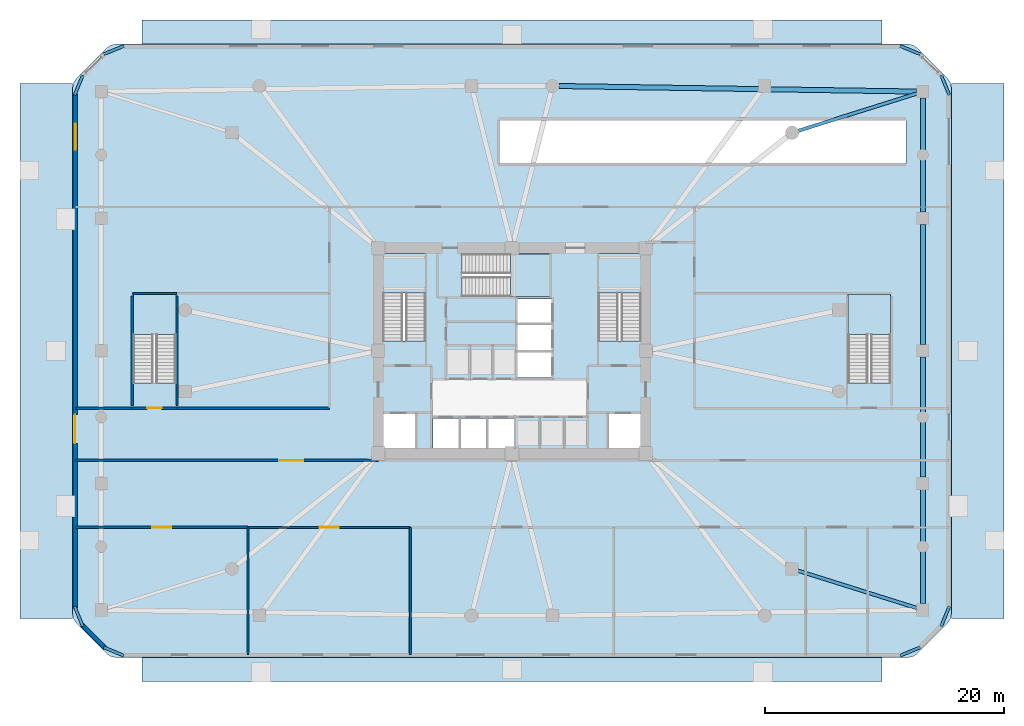
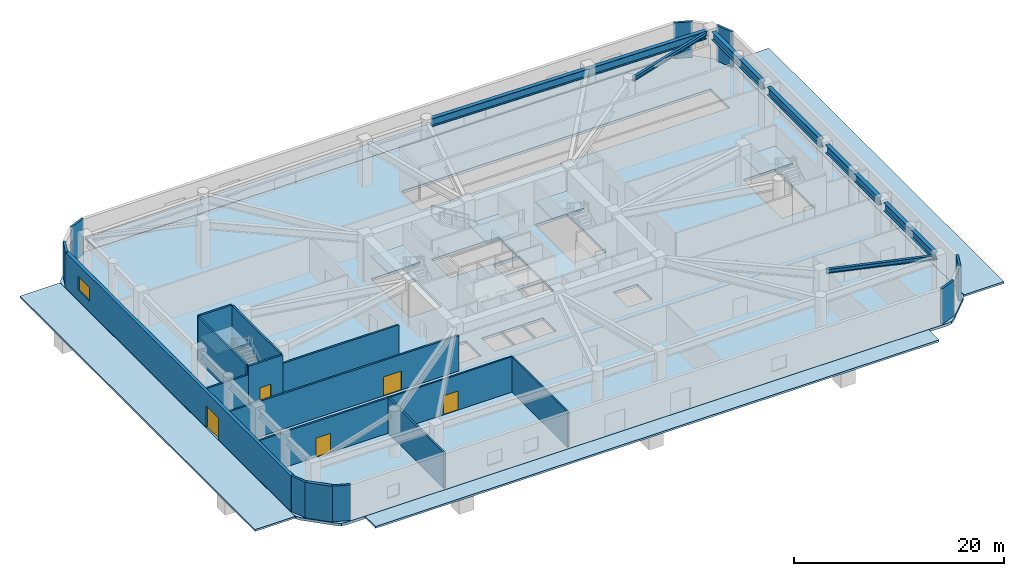
# One storey, part 2 of 9: 13 walls, 10 slabs, 8 plates, 7 beams, 5 doors, 1 window, 6 openings, 5 elements without a shape of their own.
"""IFC4 building model written with IfcOpenShell, lengths in metres."""

from ifc_helpers import new_model, si_unit, derived_unit, direction, frame, frame_2d, origin, origin_2d, place, context, subcontext, project, spatial, polyline, rectangle, i_section, outline, extrude, material, layer, layer_set, material_profile, profile_set, type_object, element, fill, aggregate, save


model = new_model("IFC4")

# Units and contexts
model_context = context("Model", 3, precision=1e-05, world=origin(), true_north=direction((0.0, 1.0)))
body_context = subcontext(model_context, "Body", "Model", "MODEL_VIEW")
ifc_project = project(units=[si_unit("LENGTHUNIT", "METRE"), si_unit("AREAUNIT", "SQUARE_METRE"), si_unit("VOLUMEUNIT", "CUBIC_METRE"), si_unit("PLANEANGLEUNIT", "RADIAN"), si_unit("MASSUNIT", "GRAM", prefix="KILO"), derived_unit("THERMALTRANSMITTANCEUNIT", [(si_unit("POWERUNIT", "WATT"), 1), (si_unit("LENGTHUNIT", "METRE"), -2), (si_unit("THERMODYNAMICTEMPERATUREUNIT", "KELVIN"), -1)])], contexts=[model_context])

# Site, building, storey
site_placement = place(None, origin())
site = spatial("IfcSite", under=ifc_project, at=site_placement, CompositionType="ELEMENT")
building_placement = place(site_placement, origin())
building = spatial("IfcBuilding", under=site, at=building_placement, Name="Koralith Skygarden Medical Center", CompositionType="ELEMENT")
storey_placement = place(building_placement, origin())
storey = spatial("IfcBuildingStorey", under=building, at=storey_placement, Name="L00", CompositionType="ELEMENT", Elevation=0.0)

# Beams
ifc_material_1 = material(Name="Steel ASTM A992 Grade 50", Category="steel")
ifc_material_profile_1 = material_profile(ifc_material_1, i_section(OverallWidth=0.423095703125, OverallDepth=0.947998046875, WebThickness=0.02392578125, FlangeThickness=0.042724609375, at=origin_2d()), Name="W36X302")
ifc_profile_set_1 = profile_set([ifc_material_profile_1], Name="Steel ASTM A992 Grade 50")
beam_type_1 = type_object("IfcBeamType", Name="Podium Concourse Girder W36X302", PredefinedType="BEAM", material=ifc_profile_set_1)
beam_1_placement = place(storey_placement, frame((71.39990234375, 4.719970703125, 4.6259765625), z_axis=(0.0, 1.0, 0.0), x_axis=(-1.0, 0.0, 0.0)))
element("IfcBeam", 1, at=beam_1_placement, inside=storey, type_object=beam_type_1, Name="L00 Podium Perimeter Beam PB-05", PredefinedType="BEAM", context=body_context, shape_type="SweptSolid", body=[
    extrude(i_section(OverallWidth=0.423095703125, OverallDepth=0.947998046875, WebThickness=0.02392578125, FlangeThickness=0.042724609375, at=origin_2d()), origin(), (0.0, 0.0, 1.0), 9.56005859375),
])
beam_2_placement = place(storey_placement, frame((71.39990234375, 15.320068359375, 4.6259765625), z_axis=(0.0, 1.0, 0.0), x_axis=(-1.0, 0.0, 0.0)))
element("IfcBeam", 2, at=beam_2_placement, inside=storey, type_object=beam_type_1, Name="L00 Podium Perimeter Beam PB-06", PredefinedType="BEAM", context=body_context, shape_type="SweptSolid", body=[
    extrude(i_section(OverallWidth=0.423095703125, OverallDepth=0.947998046875, WebThickness=0.02392578125, FlangeThickness=0.042724609375, at=origin_2d()), origin(), (0.0, 0.0, 1.0), 10.059814453125),
])
beam_3_placement = place(storey_placement, frame((71.39990234375, 26.419921875, 4.6259765625), z_axis=(0.0, 1.0, 0.0), x_axis=(-1.0, 0.0, 0.0)))
element("IfcBeam", 3, at=beam_3_placement, inside=storey, type_object=beam_type_1, Name="L00 Podium Perimeter Beam PB-07", PredefinedType="BEAM", context=body_context, shape_type="SweptSolid", body=[
    extrude(i_section(OverallWidth=0.423095703125, OverallDepth=0.947998046875, WebThickness=0.02392578125, FlangeThickness=0.042724609375, at=origin_2d()), origin(), (0.0, 0.0, 1.0), 10.06005859375),
])
beam_4_placement = place(storey_placement, frame((71.39990234375, 37.52001953125, 4.6259765625), z_axis=(0.0, 1.0, 0.0), x_axis=(-1.0, 0.0, 0.0)))
element("IfcBeam", 4, at=beam_4_placement, inside=storey, type_object=beam_type_1, Name="L00 Podium Perimeter Beam PB-08", PredefinedType="BEAM", context=body_context, shape_type="SweptSolid", body=[
    extrude(i_section(OverallWidth=0.423095703125, OverallDepth=0.947998046875, WebThickness=0.02392578125, FlangeThickness=0.042724609375, at=origin_2d()), origin(), (0.0, 0.0, 1.0), 9.56005859375),
])
beam_5_placement = place(storey_placement, frame((70.8798828125, 47.60791015625, 4.6259765625), z_axis=(-0.999880035237, 0.015489194131, 0.0), x_axis=(-0.015489194131, -0.999880035237, 0.0)))
element("IfcBeam", 5, at=beam_5_placement, inside=storey, type_object=beam_type_1, Name="L00 Podium Perimeter Beam PB-09", PredefinedType="BEAM", context=body_context, shape_type="SweptSolid", body=[
    extrude(i_section(OverallWidth=0.423095703125, OverallDepth=0.947998046875, WebThickness=0.02392578125, FlangeThickness=0.042724609375, at=origin_2d()), origin(), (0.0, 0.0, 1.0), 29.963623046875),
])
ifc_material_profile_2 = material_profile(ifc_material_1, i_section(OverallWidth=0.281982421875, OverallDepth=0.467041015625, WebThickness=0.01220703125, FlangeThickness=0.01953125, at=origin_2d()), Name="W18X86")
ifc_profile_set_2 = profile_set([ifc_material_profile_2], Name="Steel ASTM A992 Grade 50")
beam_type_2 = type_object("IfcBeamType", Name="Podium Floor Joist W18X86", PredefinedType="JOIST", material=ifc_profile_set_2)
for number, where, z_axis, x_axis, name in (
    (6, (60.9560546875, 7.48388671875, 4.865966796875), (0.953954869198, -0.299950175084, 0.0), (0.299950175084, 0.953954869198, 0.0), "L00 Podium Floor Joist PJ-03"),
    (7, (60.9560546875, 44.31591796875, 4.865966796875), (0.95394817002, 0.29997148017, 0.0), (-0.29997148017, 0.95394817002, 0.0), "L00 Podium Floor Joist PJ-04"),
):
    element("IfcBeam", number, at=place(storey_placement, frame(where, z_axis=z_axis, x_axis=x_axis)), inside=storey, type_object=beam_type_2, Name=name, PredefinedType="JOIST", context=body_context, shape_type="SweptSolid", body=[
        extrude(i_section(OverallWidth=0.281982421875, OverallDepth=0.467041015625, WebThickness=0.01220703125, FlangeThickness=0.01953125, at=origin_2d()), origin(), (0.0, 0.0, 1.0), 10.42822265625),
    ])

# Stair, slab
ifc_material_2 = material(Name="Concrete C45/55", Category="concrete")
stair_type = type_object("IfcStairType", Name="Core Exit Dogleg Concrete Stair", PredefinedType="HALF_TURN_STAIR", material=ifc_material_2)
stair_1_placement = place(storey_placement, origin())
stair_1 = element("IfcStair", 8, at=stair_1_placement, inside=storey, type_object=stair_type, Name="L00 Smokeproof Exit Stair ST1", PredefinedType="HALF_TURN_STAIR")
ifc_layer_1 = layer(ifc_material_2, 0.199951171875)
ifc_layer_set_1 = layer_set([ifc_layer_1], Name="Concrete C45/55")
slab_type_1 = type_object("IfcSlabType", Name="Core Exit Concrete Stair Landing 200", PredefinedType="LANDING", material=ifc_layer_set_1)
slab_1_placement = place(storey_placement, frame((0.0, 0.0, 2.5)))
slab_1 = element("IfcSlab", 9, at=slab_1_placement, type_object=slab_type_1, Name="ST1 landing 1", PredefinedType="LANDING", context=body_context, shape_type="SweptSolid", body=[
    extrude(outline(polyline([(29.75, 30.760009765625), (29.75, 34.050048828125), (26.199951171875, 34.050048828125), (26.199951171875, 30.760009765625), (29.75, 30.760009765625)])), origin(), (0.0, 0.0, 1.0), 0.199951171875),
])
aggregate(stair_1, [slab_1])

stair_2_placement = place(storey_placement, origin())
stair_2 = element("IfcStair", 10, at=stair_2_placement, inside=storey, type_object=stair_type, Name="L00 Smokeproof Exit Stair ST2", PredefinedType="HALF_TURN_STAIR")
slab_2_placement = place(storey_placement, frame((0.0, 0.0, 2.5)))
slab_2 = element("IfcSlab", 11, at=slab_2_placement, type_object=slab_type_1, Name="ST2 landing 1", PredefinedType="LANDING", context=body_context, shape_type="SweptSolid", body=[
    extrude(outline(polyline([(47.800048828125, 30.760009765625), (47.800048828125, 34.050048828125), (44.25, 34.050048828125), (44.25, 30.760009765625), (47.800048828125, 30.760009765625)])), origin(), (0.0, 0.0, 1.0), 0.199951171875),
])
aggregate(stair_2, [slab_2])

stair_3_placement = place(storey_placement, origin())
stair_3 = element("IfcStair", 12, at=stair_3_placement, inside=storey, type_object=stair_type, Name="L00 Smokeproof Exit Stair ST3", PredefinedType="HALF_TURN_STAIR")
slab_3_placement = place(storey_placement, frame((0.0, 0.0, 2.5)))
slab_3 = element("IfcSlab", 13, at=slab_3_placement, type_object=slab_type_1, Name="ST3 landing 1", PredefinedType="LANDING", context=body_context, shape_type="SweptSolid", body=[
    extrude(outline(polyline([(36.860107421875, 30.449951171875), (40.199951171875, 30.449951171875), (40.199951171875, 34.0), (36.860107421875, 34.0), (36.860107421875, 30.449951171875)])), origin(), (0.0, 0.0, 1.0), 0.199951171875),
])
aggregate(stair_3, [slab_3])

stair_4_placement = place(storey_placement, origin())
stair_4 = element("IfcStair", 14, at=stair_4_placement, inside=storey, type_object=stair_type, Name="L00 Podium Smokeproof Exit Stair ST4", PredefinedType="HALF_TURN_STAIR")
slab_4_placement = place(storey_placement, frame((0.0, 0.0, 2.5)))
slab_4 = element("IfcSlab", 15, at=slab_4_placement, type_object=slab_type_1, Name="ST4 landing 1", PredefinedType="LANDING", context=body_context, shape_type="SweptSolid", body=[
    extrude(outline(polyline([(8.85009765625, 27.260009765625), (8.85009765625, 30.60009765625), (5.300048828125, 30.60009765625), (5.300048828125, 27.260009765625), (8.85009765625, 27.260009765625)])), origin(), (0.0, 0.0, 1.0), 0.199951171875),
])
aggregate(stair_4, [slab_4])

stair_5_placement = place(storey_placement, origin())
stair_5 = element("IfcStair", 16, at=stair_5_placement, inside=storey, type_object=stair_type, Name="L00 Podium Smokeproof Exit Stair ST5", PredefinedType="HALF_TURN_STAIR")
slab_5_placement = place(storey_placement, frame((0.0, 0.0, 2.5)))
slab_5 = element("IfcSlab", 17, at=slab_5_placement, type_object=slab_type_1, Name="ST5 landing 1", PredefinedType="LANDING", context=body_context, shape_type="SweptSolid", body=[
    extrude(outline(polyline([(68.699951171875, 27.260009765625), (68.699951171875, 30.60009765625), (65.14990234375, 30.60009765625), (65.14990234375, 27.260009765625), (68.699951171875, 27.260009765625)])), origin(), (0.0, 0.0, 1.0), 0.199951171875),
])
aggregate(stair_5, [slab_5])

# Slabs
ifc_material_3 = material(Name="Precast concrete C40/50", Category="concrete")
ifc_layer_2 = layer(ifc_material_3, 0.219970703125)
ifc_layer_set_2 = layer_set([ifc_layer_2], Name="Precast concrete C40/50")
slab_type_2 = type_object("IfcSlabType", Name="Forecourt Plaza & Driveway Paving 220", PredefinedType="USERDEFINED", material=ifc_layer_set_2)
slab_6_placement = place(storey_placement, frame((0.0, 0.0, -0.219970703125)))
element("IfcSlab", 18, at=slab_6_placement, inside=storey, type_object=slab_type_2, Name="West Transit Station Forecourt Plaza Paving", ObjectType="PAVING", PredefinedType="USERDEFINED", context=body_context, shape_type="SweptSolid", body=[
    extrude(outline(polyline([(-4.199951171875, 3.5), (0.199951171875, 3.5), (0.199951171875, 48.300048828125), (-4.199951171875, 48.300048828125), (-4.199951171875, 3.5)])), origin(), (0.0, 0.0, 1.0), 0.219970703125),
])
slab_7_placement = place(storey_placement, frame((0.0, 0.0, -0.219970703125)))
element("IfcSlab", 19, at=slab_7_placement, inside=storey, type_object=slab_type_2, Name="East Ambulance & Car Park Ramp Driveway Apron Paving", ObjectType="PAVING", PredefinedType="USERDEFINED", context=body_context, shape_type="SweptSolid", body=[
    extrude(outline(polyline([(73.800048828125, 3.5), (78.199951171875, 3.5), (78.199951171875, 48.300048828125), (73.800048828125, 48.300048828125), (73.800048828125, 3.5)])), origin(), (0.0, 0.0, 1.0), 0.219970703125),
])
slab_8_placement = place(storey_placement, frame((0.0, 0.0, -0.219970703125)))
element("IfcSlab", 20, at=slab_8_placement, inside=storey, type_object=slab_type_2, Name="South Hospital Entrance Plaza Paving", ObjectType="PAVING", PredefinedType="USERDEFINED", context=body_context, shape_type="SweptSolid", body=[
    extrude(outline(polyline([(6.0, -1.800048828125), (68.0, -1.800048828125), (68.0, 0.199951171875), (6.0, 0.199951171875), (6.0, -1.800048828125)])), origin(), (0.0, 0.0, 1.0), 0.219970703125),
])
slab_9_placement = place(storey_placement, frame((0.0, 0.0, -0.219970703125)))
element("IfcSlab", 21, at=slab_9_placement, inside=storey, type_object=slab_type_2, Name="North Concourse Forecourt Paving", ObjectType="PAVING", PredefinedType="USERDEFINED", context=body_context, shape_type="SweptSolid", body=[
    extrude(outline(polyline([(6.0, 51.60009765625), (68.0, 51.60009765625), (68.0, 53.60009765625), (6.0, 53.60009765625), (6.0, 51.60009765625)])), origin(), (0.0, 0.0, 1.0), 0.219970703125),
])
ifc_layer_3 = layer(ifc_material_2, 0.300048828125)
ifc_layer_set_3 = layer_set([ifc_layer_3], Name="Concrete C45/55")
slab_type_3 = type_object("IfcSlabType", Name="Podium & Diagnostic Stiffened Slab 300", PredefinedType="FLOOR", material=ifc_layer_set_3)
slab_10_placement = place(storey_placement, frame((0.0, 0.0, -0.300048828125)))
element("IfcSlab", 22, at=slab_10_placement, inside=storey, type_object=slab_type_3, Name="Level L00 Structural Floor Slab", PredefinedType="FLOOR", context=body_context, shape_type="SweptSolid", body=[
    extrude(outline(polyline([(3.049072265625, 0.551025390625), (3.43798828125, 0.291015625), (3.89697265625, 0.199951171875), (70.10302734375, 0.199951171875), (70.56201171875, 0.291015625), (70.950927734375, 0.551025390625), (73.448974609375, 3.049072265625), (73.708984375, 3.43798828125), (73.800048828125, 3.89697265625), (73.800048828125, 47.903076171875), (73.708984375, 48.362060546875), (73.448974609375, 48.7509765625), (70.950927734375, 51.2490234375), (70.56201171875, 51.509033203125), (70.10302734375, 51.60009765625), (3.89697265625, 51.60009765625), (3.43798828125, 51.509033203125), (3.049072265625, 51.2490234375), (0.551025390625, 48.7509765625), (0.291015625, 48.362060546875), (0.199951171875, 47.903076171875), (0.199951171875, 3.89697265625), (0.291015625, 3.43798828125), (0.551025390625, 3.049072265625), (3.049072265625, 0.551025390625)]), holes=[polyline([(26.199951171875, 26.705078125), (29.75, 26.705078125), (29.75, 34.050048828125), (26.199951171875, 34.050048828125), (26.199951171875, 26.705078125)]), polyline([(44.25, 26.705078125), (47.800048828125, 26.705078125), (47.800048828125, 34.050048828125), (44.25, 34.050048828125), (44.25, 26.705078125)]), polyline([(32.804931640625, 30.449951171875), (40.199951171875, 30.449951171875), (40.199951171875, 34.0), (32.804931640625, 34.0), (32.804931640625, 30.449951171875)]), polyline([(5.300048828125, 23.205078125), (8.85009765625, 23.205078125), (8.85009765625, 30.60009765625), (5.300048828125, 30.60009765625), (5.300048828125, 23.205078125)]), polyline([(65.14990234375, 23.205078125), (68.699951171875, 23.205078125), (68.699951171875, 30.60009765625), (65.14990234375, 30.60009765625), (65.14990234375, 23.205078125)]), polyline([(26.25, 17.75), (28.89990234375, 17.75), (28.89990234375, 20.60009765625), (26.25, 20.60009765625), (26.25, 17.75)]), polyline([(45.10009765625, 17.75), (47.75, 17.75), (47.75, 20.60009765625), (45.10009765625, 20.60009765625), (45.10009765625, 17.75)]), polyline([(30.39990234375, 17.75), (32.550048828125, 17.75), (32.550048828125, 20.25), (30.39990234375, 20.25), (30.39990234375, 17.75)]), polyline([(32.699951171875, 17.75), (34.85009765625, 17.75), (34.85009765625, 20.25), (32.699951171875, 20.25), (32.699951171875, 17.75)]), polyline([(35.0, 17.75), (37.14990234375, 17.75), (37.14990234375, 20.25), (35.0, 20.25), (35.0, 17.75)]), polyline([(37.449951171875, 23.64990234375), (40.300048828125, 23.64990234375), (40.300048828125, 25.800048828125), (37.449951171875, 25.800048828125), (37.449951171875, 23.64990234375)]), polyline([(37.449951171875, 25.949951171875), (40.300048828125, 25.949951171875), (40.300048828125, 28.10009765625), (37.449951171875, 28.10009765625), (37.449951171875, 25.949951171875)]), polyline([(37.449951171875, 28.25), (40.300048828125, 28.25), (40.300048828125, 30.25), (37.449951171875, 30.25), (37.449951171875, 28.25)]), polyline([(36.0, 41.60009765625), (70.0, 41.60009765625), (70.0, 45.199951171875), (36.0, 45.199951171875), (36.0, 41.60009765625)])]), origin(), (0.0, 0.0, 1.0), 0.300048828125),
])

# Plates
ifc_material_4 = material(Name="Warm Oolitic Limestone Cladding", Category="masonry")
ifc_layer_4 = layer(ifc_material_4, 0.239990234375)
ifc_layer_set_4 = layer_set([ifc_layer_4], Name="Warm Oolitic Limestone Cladding")
plate_type = type_object("IfcPlateType", Name="Rounded-Corner Oolitic Limestone Cladding Panel 240", PredefinedType="USERDEFINED", material=ifc_layer_set_4)
for number, where, z_axis, x_axis, name in (
    (23, (70.345947265625, 0.719970703125, 0.0), (0.0, 0.0, 1.0), (0.92388487569, 0.382670532536, 0.0), "L00 Rounded-Corner Limestone Pier 1"),
    (24, (73.279052734375, 3.653076171875, 0.0), (0.0, 0.0, 1.0), (0.382670532536, 0.92388487569, 0.0), "L00 Rounded-Corner Limestone Pier 2"),
    (25, (73.279052734375, 48.14697265625, 0.0), (0.0, 0.0, 1.0), (-0.382670532536, 0.92388487569, 0.0), "L00 Rounded-Corner Limestone Pier 3"),
    (26, (70.345947265625, 51.080078125, 0.0), (0.0, 0.0, 1.0), (-0.92388487569, 0.382670532536, 0.0), "L00 Rounded-Corner Limestone Pier 4"),
    (27, (3.653076171875, 51.080078125, 0.0), (0.0, 0.0, 1.0), (-0.92388487569, -0.382670532536, 0.0), "L00 Rounded-Corner Limestone Pier 5"),
    (28, (0.719970703125, 48.14697265625, 0.0), (0.0, 0.0, 1.0), (-0.382670532536, -0.92388487569, 0.0), "L00 Rounded-Corner Limestone Pier 6"),
    (29, (0.719970703125, 3.653076171875, 0.0), (0.0, 0.0, 1.0), (0.382670532536, -0.92388487569, 0.0), "L00 Rounded-Corner Limestone Pier 7"),
    (30, (3.653076171875, 0.719970703125, 0.0), (0.0, 0.0, 1.0), (0.92388487569, -0.382670532536, 0.0), "L00 Rounded-Corner Limestone Pier 8"),
):
    element("IfcPlate", number, at=place(storey_placement, frame(where, z_axis=z_axis, x_axis=x_axis)), inside=storey, type_object=plate_type, Name=name, ObjectType="LIMESTONE CLADDING", PredefinedType="USERDEFINED", context=body_context, shape_type="SweptSolid", body=[
        extrude(rectangle(XDim=1.81103515625, YDim=0.239990234375, at=origin_2d()), origin(), (0.0, 0.0, 1.0), 4.139892578125),
    ])

# Wall
ifc_material_5 = material(Name="Gypsum Board Partition")
ifc_layer_5 = layer(ifc_material_5, 0.14990234375)
ifc_layer_set_5 = layer_set([ifc_layer_5], Name="Gypsum Board Partition")
wall_type_1 = type_object("IfcWallType", Name="Clinical Acoustic Partition 150", PredefinedType="PARTITIONING", material=ifc_layer_set_5)
wall_1_placement = place(storey_placement, frame((28.489990234375, 0.43994140625, 0.0), z_axis=(0.0, 0.0, 1.0), x_axis=(0.0, 1.0, 0.0)))
element("IfcWall", 31, at=wall_1_placement, inside=storey, type_object=wall_type_1, Name="L00 Clinical Acoustic Partition 150 W-L00-SP-2", PredefinedType="PARTITIONING", context=body_context, shape_type="SweptSolid", body=[
    extrude(rectangle(XDim=10.68017578125, YDim=0.14990234375, at=frame_2d((5.340087890625, 0.0))), origin(), (0.0, 0.0, 1.0), 4.110107421875),
])

# Wall, opening, door
ifc_layer_6 = layer(ifc_material_5, 0.1650390625)
ifc_layer_set_6 = layer_set([ifc_layer_6], Name="Gypsum Board Partition")
wall_type_2 = type_object("IfcWallType", Name="Clinical Corridor Partition 165", PredefinedType="PARTITIONING", material=ifc_layer_set_6)
wall_2_placement = place(storey_placement, frame((14.889892578125, 11.1201171875, 0.0), z_axis=(0.0, 0.0, 1.0), x_axis=(1.0, 0.0, 0.0)))
wall_2 = element("IfcWall", 32, at=wall_2_placement, inside=storey, type_object=wall_type_2, Name="L00 Clinical Corridor Partition 165 W-L00-SR-ED1", PredefinedType="PARTITIONING", context=body_context, shape_type="SweptSolid", body=[
    extrude(rectangle(XDim=13.60009765625, YDim=0.1650390625, at=frame_2d((6.800048828125, 0.0))), origin(), (0.0, 0.0, 1.0), 4.110107421875),
])
opening_1_placement = place(wall_2_placement, frame((6.0, 0.0, 0.0)))
opening_1 = element("IfcOpeningElement", 33, at=opening_1_placement, cuts=wall_2, Name="Opening D-DBL", PredefinedType="OPENING", context=body_context, shape_type="SweptSolid", body=[
    extrude(rectangle(XDim=1.60009765625, YDim=2.199951171875, at=frame_2d((0.800048828125, 1.10009765625))), frame((0.0, 0.092529296875, 0.0), z_axis=(0.0, -1.0, 0.0), x_axis=(1.0, 0.0, 0.0)), (0.0, 0.0, 1.0), 0.18505859375),
])
ifc_material_6 = material(Name="Aluminium 6063-T6", Category="aluminium")
door_type_1 = type_object("IfcDoorType", Name="Double Clinical Suite Door D-DBL 1600", OperationType="NOTDEFINED", PredefinedType="DOOR", material=ifc_material_6)
door_1_placement = place(opening_1_placement, frame((1.60009765625, 0.0, 0.0), z_axis=(0.0, 0.0, 1.0), x_axis=(-1.0, 0.0, 0.0)))
door_1 = element("IfcDoor", 34, at=door_1_placement, inside=storey, type_object=door_type_1, Name="L00 Emergency Trauma Resuscitation Hall 1 Door", OperationType="DOUBLE_DOOR_SINGLE_SWING", OverallHeight=2.199951171875, OverallWidth=1.60009765625, PredefinedType="DOOR", context=body_context, shape_type="SweptSolid", body=[
    extrude(rectangle(XDim=1.60009765625, YDim=2.199951171875, at=frame_2d((0.800048828125, 1.10009765625))), frame((0.0, 0.02490234375, 0.0), z_axis=(0.0, -1.0, 0.0), x_axis=(1.0, 0.0, 0.0)), (0.0, 0.0, 1.0), 0.050048828125),
])
fill(opening_1, door_1)

ifc_layer_7 = layer(ifc_material_5, 0.199951171875)
ifc_layer_set_7 = layer_set([ifc_layer_7], Name="Gypsum Board Partition")
wall_type_3 = type_object("IfcWallType", Name="Fire Shaft Wall 200", PredefinedType="SOLIDWALL", material=ifc_layer_set_7)
wall_3_placement = place(storey_placement, frame((0.43994140625, 16.719970703125, 0.0), z_axis=(0.0, 0.0, 1.0), x_axis=(1.0, 0.0, 0.0)))
wall_3 = element("IfcWall", 35, at=wall_3_placement, inside=storey, type_object=wall_type_3, Name="L00 Fire Shaft Wall 200 W-L00-EXPASS-SW", PredefinedType="SOLIDWALL", context=body_context, shape_type="SweptSolid", body=[
    extrude(rectangle(XDim=25.360107421875, YDim=0.199951171875, at=frame_2d((12.68017578125, 0.0))), origin(), (0.0, 0.0, 1.0), 4.110107421875),
])
opening_2_placement = place(wall_3_placement, frame((17.06005859375, 0.0, 0.0)))
opening_2 = element("IfcOpeningElement", 36, at=opening_2_placement, cuts=wall_3, Name="Opening D-SMK", PredefinedType="OPENING", context=body_context, shape_type="SweptSolid", body=[
    extrude(rectangle(XDim=2.0, YDim=2.199951171875, at=frame_2d((1.0, 1.10009765625))), frame((0.0, 0.10986328125, 0.0), z_axis=(0.0, -1.0, 0.0), x_axis=(1.0, 0.0, 0.0)), (0.0, 0.0, 1.0), 0.219970703125),
])
ifc_material_7 = material(Name="Steel ASTM A500 Grade C", Category="steel")
door_type_2 = type_object("IfcDoorType", Name="Cross-Corridor Double Smoke Door FD60S 2000", OperationType="NOTDEFINED", PredefinedType="DOOR", material=ifc_material_7)
door_2_placement = place(opening_2_placement, origin())
door_2 = element("IfcDoor", 37, at=door_2_placement, inside=storey, type_object=door_type_2, Name="L00 West Protected Passage Smoke Door", OperationType="DOUBLE_DOOR_SINGLE_SWING", OverallHeight=2.199951171875, OverallWidth=2.0, PredefinedType="DOOR", context=body_context, shape_type="SweptSolid", body=[
    extrude(rectangle(XDim=2.0, YDim=2.199951171875, at=frame_2d((1.0, 1.10009765625))), frame((0.0, 0.02490234375, 0.0), z_axis=(0.0, -1.0, 0.0), x_axis=(1.0, 0.0, 0.0)), (0.0, 0.0, 1.0), 0.050048828125),
])
fill(opening_2, door_2)

# Walls
wall_4_placement = place(storey_placement, frame((0.43994140625, 21.10009765625, 0.0), z_axis=(0.0, 0.0, 1.0), x_axis=(1.0, 0.0, 0.0)))
element("IfcWall", 38, at=wall_4_placement, inside=storey, type_object=wall_type_3, Name="L00 Fire Shaft Wall 200 W-L00-WST4-S", PredefinedType="SOLIDWALL", context=body_context, shape_type="SweptSolid", body=[
    extrude(rectangle(XDim=4.760009765625, YDim=0.199951171875, at=frame_2d((2.3798828125, 0.0))), origin(), (0.0, 0.0, 1.0), 4.110107421875),
])
wall_5_placement = place(storey_placement, frame((8.949951171875, 21.10009765625, 0.0), z_axis=(0.0, 0.0, 1.0), x_axis=(1.0, 0.0, 0.0)))
element("IfcWall", 39, at=wall_5_placement, inside=storey, type_object=wall_type_3, Name="L00 Fire Shaft Wall 200 W-L00-WST4-E", PredefinedType="SOLIDWALL", context=body_context, shape_type="SweptSolid", body=[
    extrude(rectangle(XDim=12.77001953125, YDim=0.199951171875, at=frame_2d((6.385009765625, 0.0))), origin(), (0.0, 0.0, 1.0), 4.110107421875),
])

# Wall, opening, door
wall_6_placement = place(storey_placement, frame((0.43994140625, 11.1201171875, 0.0), z_axis=(0.0, 0.0, 1.0), x_axis=(1.0, 0.0, 0.0)))
wall_6 = element("IfcWall", 40, at=wall_6_placement, inside=storey, type_object=wall_type_3, Name="L00 Fire Shaft Wall 200 W-L00-SR-FCC", PredefinedType="SOLIDWALL", context=body_context, shape_type="SweptSolid", body=[
    extrude(rectangle(XDim=14.449951171875, YDim=0.199951171875, at=frame_2d((7.22509765625, 0.0))), origin(), (0.0, 0.0, 1.0), 4.110107421875),
])
opening_3_placement = place(wall_6_placement, frame((6.425048828125, 0.0, 0.0)))
opening_3 = element("IfcOpeningElement", 41, at=opening_3_placement, cuts=wall_6, Name="Opening D-DBL", PredefinedType="OPENING", context=body_context, shape_type="SweptSolid", body=[
    extrude(rectangle(XDim=1.60009765625, YDim=2.199951171875, at=frame_2d((0.800048828125, 1.10009765625))), frame((0.0, 0.10986328125, 0.0), z_axis=(0.0, -1.0, 0.0), x_axis=(1.0, 0.0, 0.0)), (0.0, 0.0, 1.0), 0.219970703125),
])
door_3_placement = place(opening_3_placement, frame((1.60009765625, 0.0, 0.0), z_axis=(0.0, 0.0, 1.0), x_axis=(-1.0, 0.0, 0.0)))
door_3 = element("IfcDoor", 42, at=door_3_placement, inside=storey, type_object=door_type_1, Name="L00 Fire Command Center Door", OperationType="DOUBLE_DOOR_SINGLE_SWING", OverallHeight=2.199951171875, OverallWidth=1.60009765625, PredefinedType="DOOR", context=body_context, shape_type="SweptSolid", body=[
    extrude(rectangle(XDim=1.60009765625, YDim=2.199951171875, at=frame_2d((0.800048828125, 1.10009765625))), frame((0.0, 0.02490234375, 0.0), z_axis=(0.0, -1.0, 0.0), x_axis=(1.0, 0.0, 0.0)), (0.0, 0.0, 1.0), 0.050048828125),
])
fill(opening_3, door_3)

# Wall
wall_7_placement = place(storey_placement, frame((14.889892578125, 0.43994140625, 0.0), z_axis=(0.0, 0.0, 1.0), x_axis=(0.0, 1.0, 0.0)))
element("IfcWall", 43, at=wall_7_placement, inside=storey, type_object=wall_type_3, Name="L00 Fire Shaft Wall 200 W-L00-SP-1", PredefinedType="SOLIDWALL", context=body_context, shape_type="SweptSolid", body=[
    extrude(rectangle(XDim=10.68017578125, YDim=0.199951171875, at=frame_2d((5.340087890625, 0.0))), origin(), (0.0, 0.0, 1.0), 4.110107421875),
])

# Wall, openings, window, door
ifc_layer_8 = layer(ifc_material_4, 0.35009765625)
ifc_layer_set_8 = layer_set([ifc_layer_8], Name="Warm Oolitic Limestone Cladding")
wall_type_4 = type_object("IfcWallType", Name="Podium Station Limestone Facade Wall 350", PredefinedType="SOLIDWALL", material=ifc_layer_set_8)
wall_8_placement = place(storey_placement, frame((0.419921875, 47.4208984375, 0.0), z_axis=(0.0, 0.0, 1.0), x_axis=(0.0, -1.0, 0.0)))
wall_8 = element("IfcWall", 44, at=wall_8_placement, inside=storey, type_object=wall_type_4, Name="L00 Podium Exterior Limestone Wall W", PredefinedType="SOLIDWALL", context=body_context, shape_type="SweptSolid", body=[
    extrude(rectangle(XDim=43.0419921875, YDim=0.35009765625, at=frame_2d((21.52099609375, 0.0))), origin(), (0.0, 0.0, 1.0), 4.139892578125),
])
opening_4_placement = place(wall_8_placement, frame((26.87109375, 0.0, 0.0)))
opening_4 = element("IfcOpeningElement", 45, at=opening_4_placement, cuts=wall_8, Name="Opening EX-01", PredefinedType="OPENING", context=body_context, shape_type="SweptSolid", body=[
    extrude(rectangle(XDim=2.39990234375, YDim=2.5, at=frame_2d((1.199951171875, 1.25))), frame((0.0, 0.18505859375, 0.0), z_axis=(0.0, -1.0, 0.0), x_axis=(1.0, 0.0, 0.0)), (0.0, 0.0, 1.0), 0.3701171875),
])
opening_5_placement = place(wall_8_placement, frame((2.5, 0.0, 1.199951171875)))
opening_5 = element("IfcOpeningElement", 46, at=opening_5_placement, cuts=wall_8, Name="Opening W-01", PredefinedType="OPENING", context=body_context, shape_type="SweptSolid", body=[
    extrude(rectangle(XDim=2.199951171875, YDim=1.60009765625, at=frame_2d((1.10009765625, 0.800048828125))), frame((0.0, 0.18505859375, 0.0), z_axis=(0.0, -1.0, 0.0), x_axis=(1.0, 0.0, 0.0)), (0.0, 0.0, 1.0), 0.3701171875),
])
ifc_material_8 = material(Name="Clear Laminated Glass", Category="glass")
window_type = type_object("IfcWindowType", Name="Concourse Clerestory Punched Window W-01 2200x1600", PartitioningType="SINGLE_PANEL", PredefinedType="WINDOW", material=ifc_material_8)
window_placement = place(opening_5_placement, origin())
window = element("IfcWindow", 47, at=window_placement, inside=storey, type_object=window_type, Name="L00 West Concourse Window 1", OverallHeight=1.60009765625, OverallWidth=2.199951171875, PartitioningType="SINGLE_PANEL", PredefinedType="WINDOW", context=body_context, shape_type="SweptSolid", body=[
    extrude(rectangle(XDim=2.199951171875, YDim=1.60009765625, at=frame_2d((1.10009765625, 0.800048828125))), frame((0.0, 0.030029296875, 0.0), z_axis=(0.0, -1.0, 0.0), x_axis=(1.0, 0.0, 0.0)), (0.0, 0.0, 1.0), 0.06005859375),
])
fill(opening_5, window)
door_type_3 = type_object("IfcDoorType", Name="Station Concourse Double Exit Door EX-01 2400", OperationType="NOTDEFINED", PredefinedType="DOOR", material=ifc_material_6)
door_4_placement = place(opening_4_placement, frame((2.39990234375, 0.0, 0.0), z_axis=(0.0, 0.0, 1.0), x_axis=(-1.0, 0.0, 0.0)))
door_4 = element("IfcDoor", 48, at=door_4_placement, inside=storey, type_object=door_type_3, Name="L00 West Protected Passage Final Exit Door EX-01", OperationType="DOUBLE_DOOR_SINGLE_SWING", OverallHeight=2.5, OverallWidth=2.39990234375, PredefinedType="DOOR", context=body_context, shape_type="SweptSolid", body=[
    extrude(rectangle(XDim=2.39990234375, YDim=2.5, at=frame_2d((1.199951171875, 1.25))), frame((0.0, 0.02490234375, 0.0), z_axis=(0.0, -1.0, 0.0), x_axis=(1.0, 0.0, 0.0)), (0.0, 0.0, 1.0), 0.050048828125),
])
fill(opening_4, door_4)

# Wall
wall_9_placement = place(storey_placement, frame((1.02099609375, 2.927978515625, 0.0), z_axis=(0.0, 0.0, 1.0), x_axis=(0.707106781187, -0.707106781187, 0.0)))
element("IfcWall", 49, at=wall_9_placement, inside=storey, type_object=wall_type_4, Name="L00 Podium Exterior Limestone Wall SW", PredefinedType="SOLIDWALL", context=body_context, shape_type="SweptSolid", body=[
    extrude(rectangle(XDim=2.69677734375, YDim=0.35009765625, at=frame_2d((1.348388671875, 0.0))), origin(), (0.0, 0.0, 1.0), 4.139892578125),
])

# Wall, opening, door
ifc_layer_9 = layer(ifc_material_2, 0.199951171875)
ifc_layer_set_9 = layer_set([ifc_layer_9], Name="Concrete C45/55")
wall_type_5 = type_object("IfcWallType", Name="Structural Stair Shaft Wall 200", PredefinedType="SHEAR", material=ifc_layer_set_9)
wall_10_placement = place(storey_placement, frame((5.199951171875, 21.10009765625, 0.0), z_axis=(0.0, 0.0, 1.0), x_axis=(1.0, 0.0, 0.0)))
wall_10 = element("IfcWall", 50, at=wall_10_placement, inside=storey, type_object=wall_type_5, Name="L00 Structural Stair Shaft Wall 200 W-ST4-L00-S", PredefinedType="SHEAR", context=body_context, shape_type="SweptSolid", body=[
    extrude(rectangle(XDim=3.75, YDim=0.199951171875, at=frame_2d((1.875, 0.0))), origin(), (0.0, 0.0, 1.0), 5.10009765625),
])
opening_6_placement = place(wall_10_placement, frame((1.25, 0.0, 0.0)))
opening_6 = element("IfcOpeningElement", 51, at=opening_6_placement, cuts=wall_10, Name="Opening D-ST60", PredefinedType="OPENING", context=body_context, shape_type="SweptSolid", body=[
    extrude(rectangle(XDim=1.199951171875, YDim=2.14990234375, at=frame_2d((0.60009765625, 1.074951171875))), frame((0.0, 0.10986328125, 0.0), z_axis=(0.0, -1.0, 0.0), x_axis=(1.0, 0.0, 0.0)), (0.0, 0.0, 1.0), 0.219970703125),
])
door_type_4 = type_object("IfcDoorType", Name="Smokeproof Stair Fire Door FD60S 1200", OperationType="NOTDEFINED", PredefinedType="DOOR", material=ifc_material_7)
door_5_placement = place(opening_6_placement, frame((1.199951171875, 0.0, 0.0), z_axis=(0.0, 0.0, 1.0), x_axis=(-1.0, 0.0, 0.0)))
door_5 = element("IfcDoor", 52, at=door_5_placement, inside=storey, type_object=door_type_4, Name="L00 Exit Stair ST4 Fire Door", OperationType="SINGLE_SWING_LEFT", OverallHeight=2.14990234375, OverallWidth=1.199951171875, PredefinedType="DOOR", context=body_context, shape_type="SweptSolid", body=[
    extrude(rectangle(XDim=1.199951171875, YDim=2.14990234375, at=frame_2d((0.60009765625, 1.074951171875))), frame((0.0, 0.02490234375, 0.0), z_axis=(0.0, -1.0, 0.0), x_axis=(1.0, 0.0, 0.0)), (0.0, 0.0, 1.0), 0.050048828125),
])
fill(opening_6, door_5)

# Walls
wall_11_placement = place(storey_placement, frame((5.199951171875, 30.699951171875, 0.0), z_axis=(0.0, 0.0, 1.0), x_axis=(1.0, 0.0, 0.0)))
element("IfcWall", 53, at=wall_11_placement, inside=storey, type_object=wall_type_5, Name="L00 Structural Stair Shaft Wall 200 W-ST4-L00-N", PredefinedType="SHEAR", context=body_context, shape_type="SweptSolid", body=[
    extrude(rectangle(XDim=3.75, YDim=0.199951171875, at=frame_2d((1.875, 0.0))), origin(), (0.0, 0.0, 1.0), 5.10009765625),
])
for number, where, z_axis, x_axis, name in (
    (54, (5.199951171875, 21.300048828125, 0.0), (0.0, 0.0, 1.0), (0.0, 1.0, 0.0), "L00 Structural Stair Shaft Wall 200 W-ST4-L00-W"),
    (55, (8.949951171875, 21.300048828125, 0.0), (0.0, 0.0, 1.0), (0.0, 1.0, 0.0), "L00 Structural Stair Shaft Wall 200 W-ST4-L00-E"),
):
    element("IfcWall", number, at=place(storey_placement, frame(where, z_axis=z_axis, x_axis=x_axis)), inside=storey, type_object=wall_type_5, Name=name, PredefinedType="SHEAR", context=body_context, shape_type="SweptSolid", body=[
        extrude(rectangle(XDim=9.199951171875, YDim=0.199951171875, at=frame_2d((4.60009765625, 0.0))), origin(), (0.0, 0.0, 1.0), 5.10009765625),
    ])

save(model, "model.ifc")
